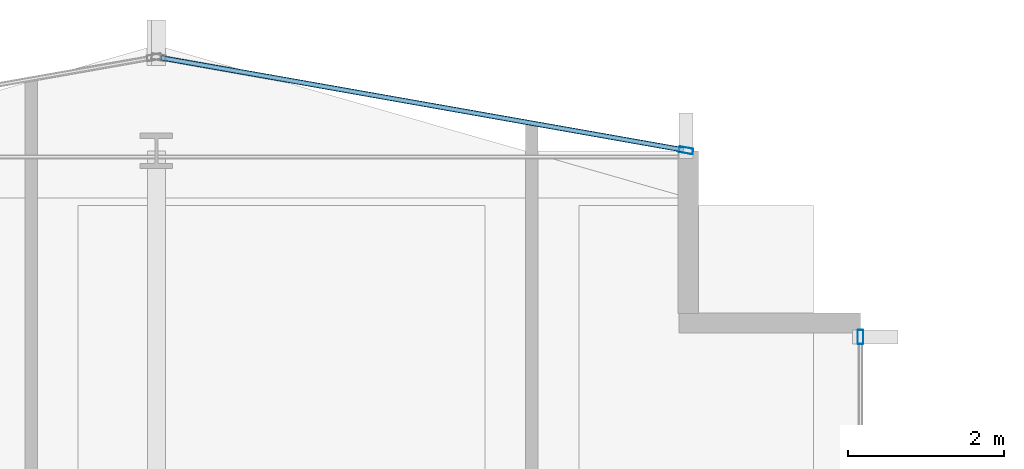
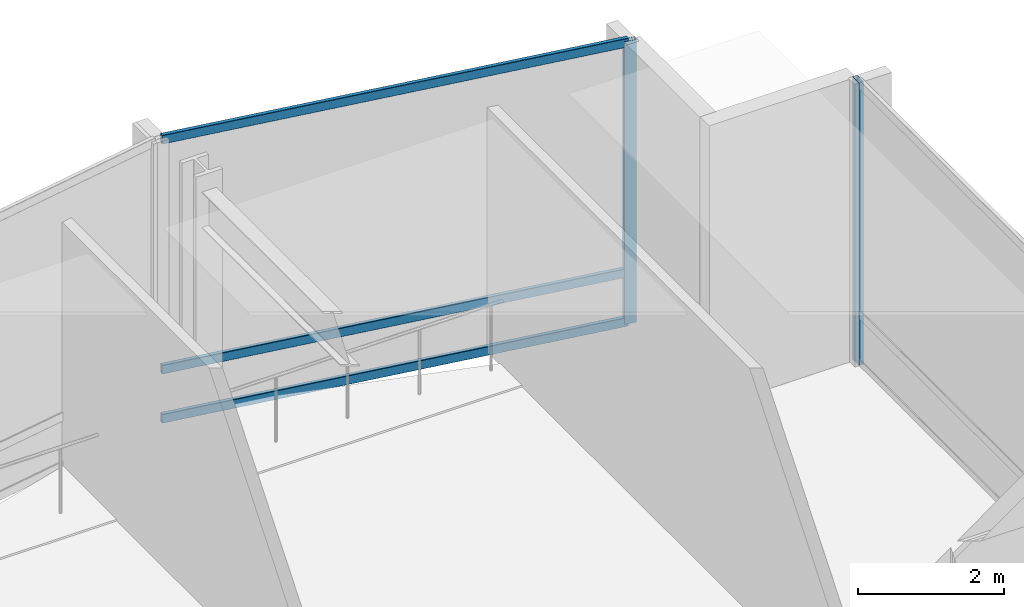
# One storey, part 20 of 33: 5 members, 2 elements without a shape of their own.
"""IFC4 building model written with IfcOpenShell, lengths in metres."""

from ifc_helpers import new_model, si_unit, direction, frame, origin, origin_2d, place, context, subcontext, project, spatial, hollow_rectangle, extrude, material, layer, layer_set, material_profile, profile_set, type_object, element, aggregate, save


model = new_model("IFC4")

# Units and contexts
model_context = context("Model", 3, precision=1e-05, world=origin(), true_north=direction((0.0, 1.0)))
body_context = subcontext(model_context, "Body", "Model", "MODEL_VIEW")
ifc_project = project(units=[si_unit("LENGTHUNIT", "METRE"), si_unit("AREAUNIT", "SQUARE_METRE"), si_unit("VOLUMEUNIT", "CUBIC_METRE"), si_unit("PLANEANGLEUNIT", "RADIAN"), si_unit("MASSUNIT", "GRAM", prefix="KILO")], contexts=[model_context])

# Site, building, storey
site_placement = place(None, origin())
site = spatial("IfcSite", under=ifc_project, at=site_placement, CompositionType="ELEMENT")
building_placement = place(site_placement, origin())
building = spatial("IfcBuilding", under=site, at=building_placement, Name="Solvaryn Broadcast Tower", CompositionType="ELEMENT")
storey_placement = place(building_placement, frame((0.0, 0.0, 105.0)))
storey = spatial("IfcBuildingStorey", under=building, at=storey_placement, Name="L25", CompositionType="ELEMENT", Elevation=105.0)

# Curtain wall, member
ifc_material_1 = material(Name="Aluminium and Terracotta Unitised Curtain Wall", Category="masonry")
ifc_layer = layer(ifc_material_1, 0.25)
ifc_layer_set = layer_set([ifc_layer], Name="CW-SYS4-SKYGARDEN")
curtain_wall_type = type_object("IfcCurtainWallType", Name="CW-SYS4-SKYGARDEN", PredefinedType="NOTDEFINED", material=ifc_layer_set)
curtain_wall_1_placement = place(storey_placement, origin())
curtain_wall_1 = element("IfcCurtainWall", 1, at=curtain_wall_1_placement, inside=storey, type_object=curtain_wall_type, Name="L25 Curtain Wall IV", PredefinedType="NOTDEFINED")
ifc_material_2 = material(Name="Anodised Aluminium 6063-T6", Category="aluminium")
ifc_material_profile_1 = material_profile(ifc_material_2, hollow_rectangle(XDim=0.074951171875, YDim=0.179931640625, WallThickness=0.00390625, InnerFilletRadius=0.00390625, OuterFilletRadius=0.008056640625, at=origin_2d()))
ifc_profile_set_1 = profile_set([ifc_material_profile_1], Name="Anodised Aluminium 6063-T6")
member_type_1 = type_object("IfcMemberType", Name="CW-MUL-180", PredefinedType="MULLION", material=ifc_profile_set_1)
member_1_placement = place(storey_placement, frame((27.0, 51.6201171875, 0.0), z_axis=(0.0, 0.0, 1.0), x_axis=(1.0, 0.0, 0.0)))
member_1 = element("IfcMember", 2, at=member_1_placement, type_object=member_type_1, Name="CWS4 mullion 1", PredefinedType="MULLION", context=body_context, shape_type="SweptSolid", body=[
    extrude(hollow_rectangle(XDim=0.074951171875, YDim=0.179931640625, WallThickness=0.00390625, InnerFilletRadius=0.00390625, OuterFilletRadius=0.008056640625, at=origin_2d()), origin(), (0.0, 0.0, 1.0), 4.719970703125),
])
aggregate(curtain_wall_1, [member_1])

# Curtain wall, members
curtain_wall_2_placement = place(storey_placement, origin())
curtain_wall_2 = element("IfcCurtainWall", 3, at=curtain_wall_2_placement, inside=storey, type_object=curtain_wall_type, Name="L25 Curtain Wall NT1", PredefinedType="NOTDEFINED")
member_2_placement = place(storey_placement, frame((24.7705078125, 54.005126953125, 0.0), z_axis=(0.0, 0.0, 1.0), x_axis=(-0.173785333901, -0.984783558819, 0.0)))
member_2 = element("IfcMember", 4, at=member_2_placement, type_object=member_type_1, Name="CWS4 mullion 1", PredefinedType="MULLION", context=body_context, shape_type="SweptSolid", body=[
    extrude(hollow_rectangle(XDim=0.074951171875, YDim=0.179931640625, WallThickness=0.00390625, InnerFilletRadius=0.00390625, OuterFilletRadius=0.008056640625, at=origin_2d()), origin(), (0.0, 0.0, 1.0), 4.719970703125),
])
ifc_material_3 = material(Name="Anodised Aluminium 6063-T6", Category="aluminium")
ifc_material_profile_2 = material_profile(ifc_material_3, hollow_rectangle(XDim=0.06494140625, YDim=0.14990234375, WallThickness=0.00390625, InnerFilletRadius=0.00390625, OuterFilletRadius=0.008056640625, at=origin_2d()))
ifc_profile_set_2 = profile_set([ifc_material_profile_2], Name="Anodised Aluminium 6063-T6")
member_type_2 = type_object("IfcMemberType", Name="CW-TRN-150", PredefinedType="USERDEFINED", material=ifc_profile_set_2)
member_3_placement = place(storey_placement, frame((24.740966796875, 54.010498046875, 0.030029296875), z_axis=(-0.984788629673, 0.173756596613, 0.0), x_axis=(-0.173756596613, -0.984788629673, 0.0)))
member_3 = element("IfcMember", 5, at=member_3_placement, type_object=member_type_2, Name="CWS4 transom 1.1", ObjectType="TRANSOM", PredefinedType="USERDEFINED", context=body_context, shape_type="SweptSolid", body=[
    extrude(hollow_rectangle(XDim=0.06494140625, YDim=0.14990234375, WallThickness=0.00390625, InnerFilletRadius=0.00390625, OuterFilletRadius=0.008056640625, at=origin_2d()), origin(), (0.0, 0.0, 1.0), 6.78515625),
])
member_4_placement = place(storey_placement, frame((24.740966796875, 54.010498046875, 0.85009765625), z_axis=(-0.984788629673, 0.173756596613, 0.0), x_axis=(-0.173756596613, -0.984788629673, 0.0)))
member_4 = element("IfcMember", 6, at=member_4_placement, type_object=member_type_2, Name="CWS4 transom 1.2", ObjectType="TRANSOM", PredefinedType="USERDEFINED", context=body_context, shape_type="SweptSolid", body=[
    extrude(hollow_rectangle(XDim=0.06494140625, YDim=0.14990234375, WallThickness=0.00390625, InnerFilletRadius=0.00390625, OuterFilletRadius=0.008056640625, at=origin_2d()), origin(), (0.0, 0.0, 1.0), 6.78515625),
])
member_5_placement = place(storey_placement, frame((24.740966796875, 54.010498046875, 4.68994140625), z_axis=(-0.984788629673, 0.173756596613, 0.0), x_axis=(-0.173756596613, -0.984788629673, 0.0)))
member_5 = element("IfcMember", 7, at=member_5_placement, type_object=member_type_2, Name="CWS4 transom 1.3", ObjectType="TRANSOM", PredefinedType="USERDEFINED", context=body_context, shape_type="SweptSolid", body=[
    extrude(hollow_rectangle(XDim=0.06494140625, YDim=0.14990234375, WallThickness=0.00390625, InnerFilletRadius=0.00390625, OuterFilletRadius=0.008056640625, at=origin_2d()), origin(), (0.0, 0.0, 1.0), 6.78515625),
])
aggregate(curtain_wall_2, [member_2, member_3, member_4, member_5])

save(model, "model.ifc")
